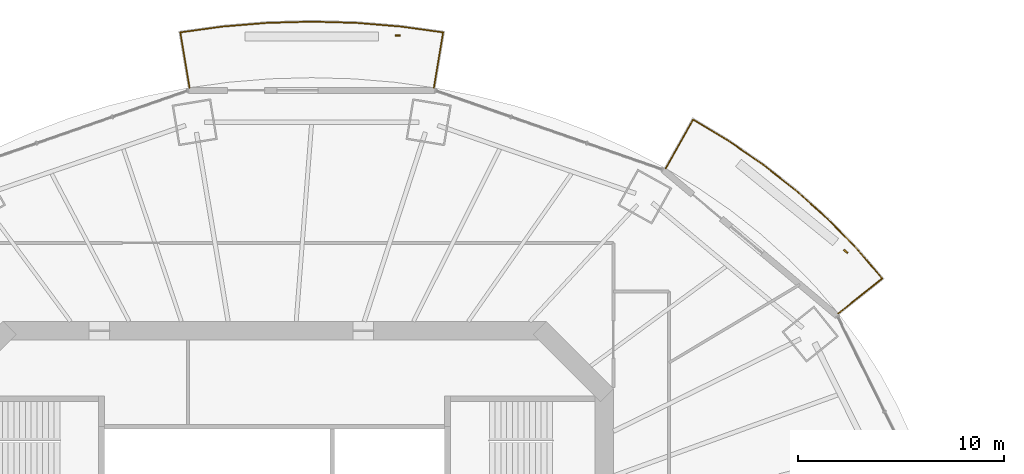
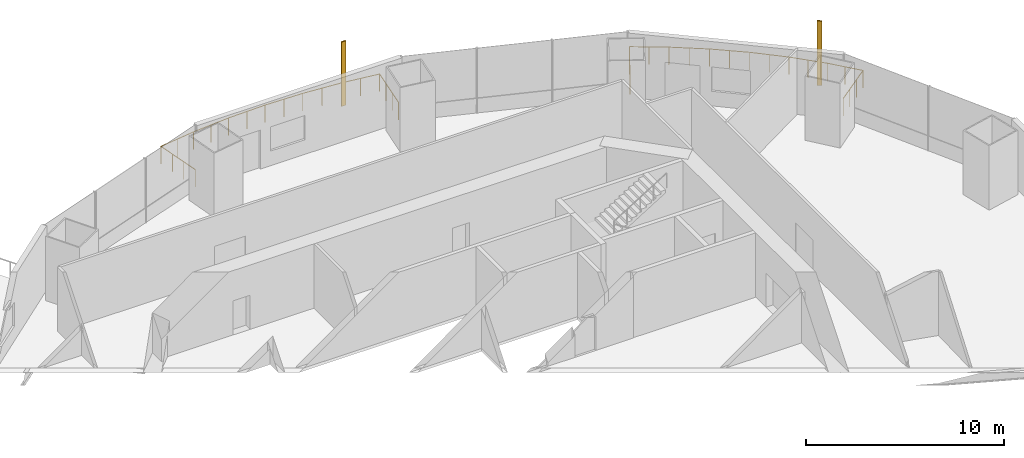
# One storey, part 17 of 19: 2 railings, 2 shading devices.
"""IFC4 building model written with IfcOpenShell, lengths in metres."""

from ifc_helpers import new_model, si_unit, direction, frame, origin, origin_2d, place, context, subcontext, project, spatial, rectangle, circle, extrude, material, material_profile, profile_set, type_object, element, save


model = new_model("IFC4")

# Units and contexts
model_context = context("Model", 3, precision=1e-05, world=origin(), true_north=direction((0.0, 1.0)))
body_context = subcontext(model_context, "Body", "Model", "MODEL_VIEW")
ifc_project = project(units=[si_unit("LENGTHUNIT", "METRE"), si_unit("AREAUNIT", "SQUARE_METRE"), si_unit("VOLUMEUNIT", "CUBIC_METRE"), si_unit("PLANEANGLEUNIT", "RADIAN"), si_unit("MASSUNIT", "GRAM", prefix="KILO")], contexts=[model_context])

# Site, building, storey
site_placement = place(None, origin())
site = spatial("IfcSite", under=ifc_project, at=site_placement, CompositionType="ELEMENT")
building_placement = place(site_placement, origin())
building = spatial("IfcBuilding", under=site, at=building_placement, Name="Marenthal Gate Tower", CompositionType="ELEMENT")
storey_placement = place(building_placement, frame((0.0, 0.0, 223.300048828125)))
storey = spatial("IfcBuildingStorey", under=building, at=storey_placement, Name="L49", CompositionType="ELEMENT", Elevation=223.300048828125)

# Railings
ifc_material_1 = material(Name="Stainless steel", Category="steel")
railing_type = type_object("IfcRailingType", Name="Balcony guard 1100", PredefinedType="GUARDRAIL", material=ifc_material_1)
railing_1_placement = place(storey_placement, frame((18.98583984375, 20.883544921875, 0.0)))
element("IfcRailing", 1, at=railing_1_placement, inside=storey, type_object=railing_type, Name="Balcony guard L49 bay 2", PredefinedType="GUARDRAIL", context=body_context, shape_type="SweptSolid", body=[
    extrude(circle(Radius=0.02392578125, at=origin_2d()), frame((0.0, 0.0, 1.076171875), z_axis=(0.489798972247, 0.871711126711, -0.014719998433), x_axis=(-0.871805582527, 0.489852045289, 0.0)), (0.0, 0.0, 1.0), 2.719970703125),
    extrude(circle(Radius=0.02392578125, at=origin_2d()), frame((1.332275390625, 2.37109375, 1.0361328125), z_axis=(0.856088913712, -0.516828571017, 0.0), x_axis=(0.516828571017, 0.856088913712, 0.0)), (0.0, 0.0, 1.0), 1.9990234375),
    extrude(circle(Radius=0.02392578125, at=origin_2d()), frame((3.043701171875, 1.337890625, 1.0361328125), z_axis=(0.823243306464, -0.567688698462, 0.0), x_axis=(0.567688698462, 0.823243306464, 0.0)), (0.0, 0.0, 1.0), 2.0625),
    extrude(circle(Radius=0.02392578125, at=origin_2d()), frame((4.74169921875, 0.1669921875, 1.0361328125), z_axis=(0.785792171054, -0.618490633648, 0.0), x_axis=(0.618490633648, 0.785792171054, 0.0)), (0.0, 0.0, 1.0), 2.0458984375),
    extrude(circle(Radius=0.02392578125, at=origin_2d()), frame((6.349365234375, -1.098388671875, 1.0361328125), z_axis=(0.744340445793, -0.667800344981, 0.0), x_axis=(0.667800344981, 0.744340445793, 0.0)), (0.0, 0.0, 1.0), 2.028564453125),
    extrude(circle(Radius=0.02392578125, at=origin_2d()), frame((7.859375, -2.453125, 1.0361328125), z_axis=(0.698745300924, -0.715370536461, 0.0), x_axis=(0.715370536461, 0.698745300924, 0.0)), (0.0, 0.0, 1.0), 2.01171875),
    extrude(circle(Radius=0.02392578125, at=origin_2d()), frame((9.26513671875, -3.892333984375, 1.0361328125), z_axis=(0.649961690438, -0.7599669736, 0.0), x_axis=(0.7599669736, 0.649961690438, 0.0)), (0.0, 0.0, 1.0), 1.915283203125),
    extrude(circle(Radius=0.02392578125, at=origin_2d()), frame((10.510009765625, -5.347900390625, 1.0361328125), z_axis=(-0.782855020802, -0.62203005264, 0.014718356461), x_axis=(0.622097438779, -0.78293982953, 0.0)), (0.0, 0.0, 1.0), 2.720458984375),
    extrude(circle(Radius=0.02099609375, at=origin_2d()), origin(), (0.0, 0.0, 1.0), 1.052001953125),
    extrude(circle(Radius=0.02099609375, at=origin_2d()), frame((0.444091796875, 0.790283203125, -0.013427734375)), (0.0, 0.0, 1.0), 1.052001953125),
    extrude(circle(Radius=0.02099609375, at=origin_2d()), frame((0.88818359375, 1.580810546875, -0.026611328125)), (0.0, 0.0, 1.0), 1.052001953125),
    extrude(circle(Radius=0.02099609375, at=origin_2d()), frame((1.332275390625, 2.37109375, -0.0400390625)), (0.0, 0.0, 1.0), 1.052001953125),
    extrude(circle(Radius=0.02099609375, at=origin_2d()), frame((2.18798828125, 1.8544921875, -0.0400390625)), (0.0, 0.0, 1.0), 1.052001953125),
    extrude(circle(Radius=0.02099609375, at=origin_2d()), frame((3.043701171875, 1.337890625, -0.0400390625)), (0.0, 0.0, 1.0), 1.052001953125),
    extrude(circle(Radius=0.02099609375, at=origin_2d()), frame((3.892578125, 0.75244140625, -0.0400390625)), (0.0, 0.0, 1.0), 1.052001953125),
    extrude(circle(Radius=0.02099609375, at=origin_2d()), frame((4.74169921875, 0.1669921875, -0.0400390625)), (0.0, 0.0, 1.0), 1.052001953125),
    extrude(circle(Radius=0.02099609375, at=origin_2d()), frame((5.54541015625, -0.4658203125, -0.0400390625)), (0.0, 0.0, 1.0), 1.052001953125),
    extrude(circle(Radius=0.02099609375, at=origin_2d()), frame((6.349365234375, -1.098388671875, -0.0400390625)), (0.0, 0.0, 1.0), 1.052001953125),
    extrude(circle(Radius=0.02099609375, at=origin_2d()), frame((7.1044921875, -1.77587890625, -0.0400390625)), (0.0, 0.0, 1.0), 1.052001953125),
    extrude(circle(Radius=0.02099609375, at=origin_2d()), frame((7.859375, -2.453125, -0.0400390625)), (0.0, 0.0, 1.0), 1.052001953125),
    extrude(circle(Radius=0.02099609375, at=origin_2d()), frame((8.562255859375, -3.1728515625, -0.0400390625)), (0.0, 0.0, 1.0), 1.052001953125),
    extrude(circle(Radius=0.02099609375, at=origin_2d()), frame((9.26513671875, -3.892333984375, -0.0400390625)), (0.0, 0.0, 1.0), 1.052001953125),
    extrude(circle(Radius=0.02099609375, at=origin_2d()), frame((9.8876953125, -4.6201171875, -0.0400390625)), (0.0, 0.0, 1.0), 1.052001953125),
    extrude(circle(Radius=0.02099609375, at=origin_2d()), frame((10.510009765625, -5.347900390625, -0.0400390625)), (0.0, 0.0, 1.0), 1.052001953125),
    extrude(circle(Radius=0.02099609375, at=origin_2d()), frame((9.800048828125, -5.911865234375, -0.026611328125)), (0.0, 0.0, 1.0), 1.052001953125),
    extrude(circle(Radius=0.02099609375, at=origin_2d()), frame((9.09033203125, -6.47607421875, -0.013427734375)), (0.0, 0.0, 1.0), 1.052001953125),
    extrude(circle(Radius=0.02099609375, at=origin_2d()), frame((8.38037109375, -7.0400390625, 0.0)), (0.0, 0.0, 1.0), 1.052001953125),
])
railing_2_placement = place(storey_placement, frame((-4.13134765625, 24.80078125, 0.0)))
element("IfcRailing", 2, at=railing_2_placement, inside=storey, type_object=railing_type, Name="Balcony guard L49 bay 4", PredefinedType="GUARDRAIL", context=body_context, shape_type="SweptSolid", body=[
    extrude(circle(Radius=0.02392578125, at=origin_2d()), frame((0.0, 0.0, 1.076171875), z_axis=(-0.164963320777, 0.986189863276, -0.014719251691), x_axis=(-0.986296712796, -0.164981193859, 0.0)), (0.0, 0.0, 1.0), 2.72021484375),
    extrude(circle(Radius=0.02392578125, at=origin_2d()), frame((-0.44873046875, 2.6826171875, 1.0361328125), z_axis=(0.990646325062, 0.136454602859, 0.0), x_axis=(-0.136454602859, 0.990646325062, 0.0)), (0.0, 0.0, 1.0), 2.0791015625),
    extrude(circle(Radius=0.02392578125, at=origin_2d()), frame((1.61083984375, 2.96630859375, 1.0361328125), z_axis=(0.996591524786, 0.082494440564, 0.0), x_axis=(-0.082494440564, 0.996591524786, 0.0)), (0.0, 0.0, 1.0), 2.163330078125),
    extrude(circle(Radius=0.02392578125, at=origin_2d()), frame((3.766845703125, 3.144775390625, 1.0361328125), z_axis=(0.999624610173, 0.027397787082, 0.0), x_axis=(-0.027397787082, 0.999624610173, 0.0)), (0.0, 0.0, 1.0), 2.165283203125),
    extrude(circle(Radius=0.02392578125, at=origin_2d()), frame((5.931396484375, 3.2041015625, 1.0361328125), z_axis=(0.999624610173, -0.027397787082, 0.0), x_axis=(0.027397787082, 0.999624610173, 0.0)), (0.0, 0.0, 1.0), 2.165283203125),
    extrude(circle(Radius=0.02392578125, at=origin_2d()), frame((8.095947265625, 3.144775390625, 1.0361328125), z_axis=(0.996591524786, -0.082494440564, 0.0), x_axis=(0.082494440564, 0.996591524786, 0.0)), (0.0, 0.0, 1.0), 2.163330078125),
    extrude(circle(Radius=0.02392578125, at=origin_2d()), frame((10.251953125, 2.96630859375, 1.0361328125), z_axis=(0.990646325062, -0.136454602859, 0.0), x_axis=(0.136454602859, 0.990646325062, 0.0)), (0.0, 0.0, 1.0), 2.0791015625),
    extrude(circle(Radius=0.02392578125, at=origin_2d()), frame((12.3115234375, 2.6826171875, 1.0361328125), z_axis=(-0.164963320777, -0.986189863276, 0.014719251691), x_axis=(0.986296712796, -0.164981193859, 0.0)), (0.0, 0.0, 1.0), 2.72021484375),
    extrude(circle(Radius=0.02099609375, at=origin_2d()), origin(), (0.0, 0.0, 1.0), 1.052001953125),
    extrude(circle(Radius=0.02099609375, at=origin_2d()), frame((-0.149658203125, 0.894287109375, -0.013427734375)), (0.0, 0.0, 1.0), 1.052001953125),
    extrude(circle(Radius=0.02099609375, at=origin_2d()), frame((-0.299072265625, 1.788330078125, -0.026611328125)), (0.0, 0.0, 1.0), 1.052001953125),
    extrude(circle(Radius=0.02099609375, at=origin_2d()), frame((-0.44873046875, 2.6826171875, -0.0400390625)), (0.0, 0.0, 1.0), 1.052001953125),
    extrude(circle(Radius=0.02099609375, at=origin_2d()), frame((0.5810546875, 2.824462890625, -0.0400390625)), (0.0, 0.0, 1.0), 1.052001953125),
    extrude(circle(Radius=0.02099609375, at=origin_2d()), frame((1.61083984375, 2.96630859375, -0.0400390625)), (0.0, 0.0, 1.0), 1.052001953125),
    extrude(circle(Radius=0.02099609375, at=origin_2d()), frame((2.68896484375, 3.0556640625, -0.0400390625)), (0.0, 0.0, 1.0), 1.052001953125),
    extrude(circle(Radius=0.02099609375, at=origin_2d()), frame((3.766845703125, 3.144775390625, -0.0400390625)), (0.0, 0.0, 1.0), 1.052001953125),
    extrude(circle(Radius=0.02099609375, at=origin_2d()), frame((4.84912109375, 3.17431640625, -0.0400390625)), (0.0, 0.0, 1.0), 1.052001953125),
    extrude(circle(Radius=0.02099609375, at=origin_2d()), frame((5.931396484375, 3.2041015625, -0.0400390625)), (0.0, 0.0, 1.0), 1.052001953125),
    extrude(circle(Radius=0.02099609375, at=origin_2d()), frame((7.013671875, 3.17431640625, -0.0400390625)), (0.0, 0.0, 1.0), 1.052001953125),
    extrude(circle(Radius=0.02099609375, at=origin_2d()), frame((8.095947265625, 3.144775390625, -0.0400390625)), (0.0, 0.0, 1.0), 1.052001953125),
    extrude(circle(Radius=0.02099609375, at=origin_2d()), frame((9.173828125, 3.0556640625, -0.0400390625)), (0.0, 0.0, 1.0), 1.052001953125),
    extrude(circle(Radius=0.02099609375, at=origin_2d()), frame((10.251953125, 2.96630859375, -0.0400390625)), (0.0, 0.0, 1.0), 1.052001953125),
    extrude(circle(Radius=0.02099609375, at=origin_2d()), frame((11.28173828125, 2.824462890625, -0.0400390625)), (0.0, 0.0, 1.0), 1.052001953125),
    extrude(circle(Radius=0.02099609375, at=origin_2d()), frame((12.3115234375, 2.6826171875, -0.0400390625)), (0.0, 0.0, 1.0), 1.052001953125),
    extrude(circle(Radius=0.02099609375, at=origin_2d()), frame((12.161865234375, 1.788330078125, -0.026611328125)), (0.0, 0.0, 1.0), 1.052001953125),
    extrude(circle(Radius=0.02099609375, at=origin_2d()), frame((12.012451171875, 0.894287109375, -0.013427734375)), (0.0, 0.0, 1.0), 1.052001953125),
    extrude(circle(Radius=0.02099609375, at=origin_2d()), frame((11.86279296875, 0.0, 0.0)), (0.0, 0.0, 1.0), 1.052001953125),
])

# Shading devices
ifc_material_2 = material(Name="Terracotta", Category="masonry")
ifc_material_profile = material_profile(ifc_material_2, rectangle(XDim=0.25, YDim=0.080078125, at=origin_2d()), Name="Terracotta baguette 250x80")
ifc_profile_set = profile_set([ifc_material_profile], Name="Terracotta")
shading_device_type = type_object("IfcShadingDeviceType", Name="Terracotta BAGUETTE SCREEN 250x80", PredefinedType="USERDEFINED", material=ifc_profile_set)
for number, where, z_axis, x_axis, name in (
    (3, (27.72314453125, 16.851318359375, -0.0400390625), (0.0, 0.0, 1.0), (-0.765550876952, 0.643375360732, 0.0), "Terracotta BAGUETTE L49 bay 2L"),
    (4, (5.971923828125, 27.3291015625, -0.0400390625), (0.0, 0.0, 1.0), (-1.0, 0.0, 0.0), "Terracotta BAGUETTE L49 bay 4L"),
):
    element("IfcShadingDevice", number, at=place(storey_placement, frame(where, z_axis=z_axis, x_axis=x_axis)), inside=storey, type_object=shading_device_type, Name=name, ObjectType="BAGUETTE SCREEN", PredefinedType="USERDEFINED", context=body_context, shape_type="SweptSolid", body=[
        extrude(rectangle(XDim=0.25, YDim=0.080078125, at=origin_2d()), origin(), (0.0, 0.0, 1.0), 3.969970703125),
    ])

save(model, "model.ifc")
